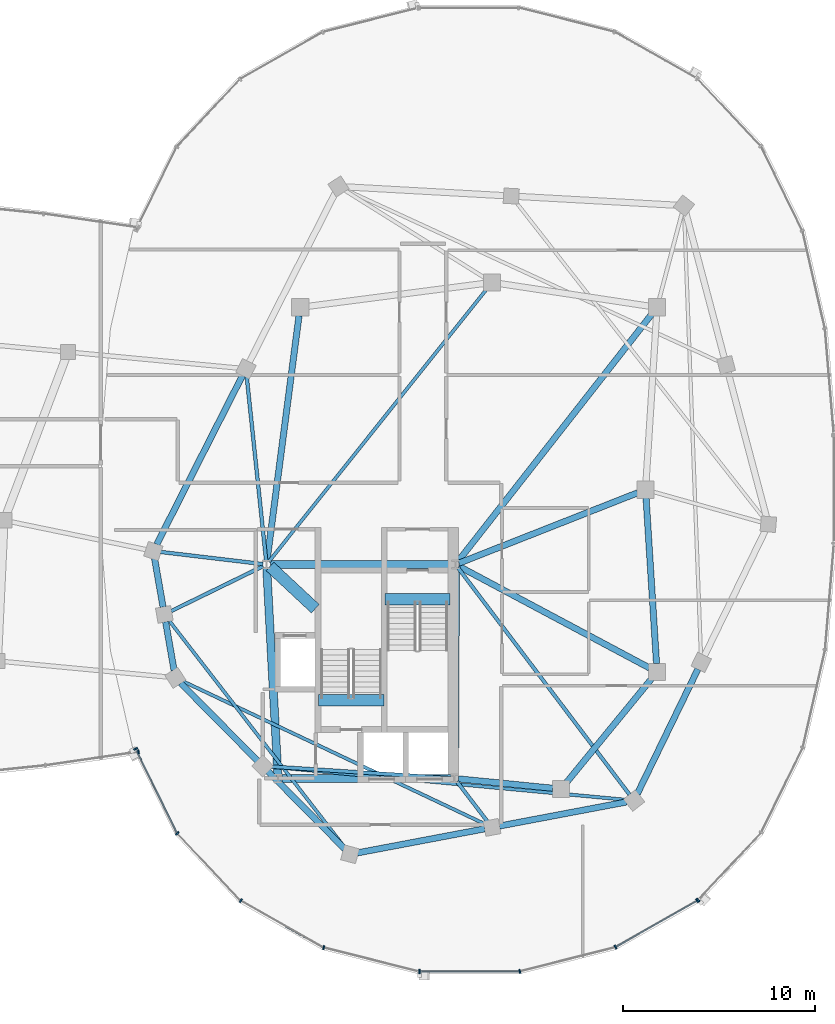
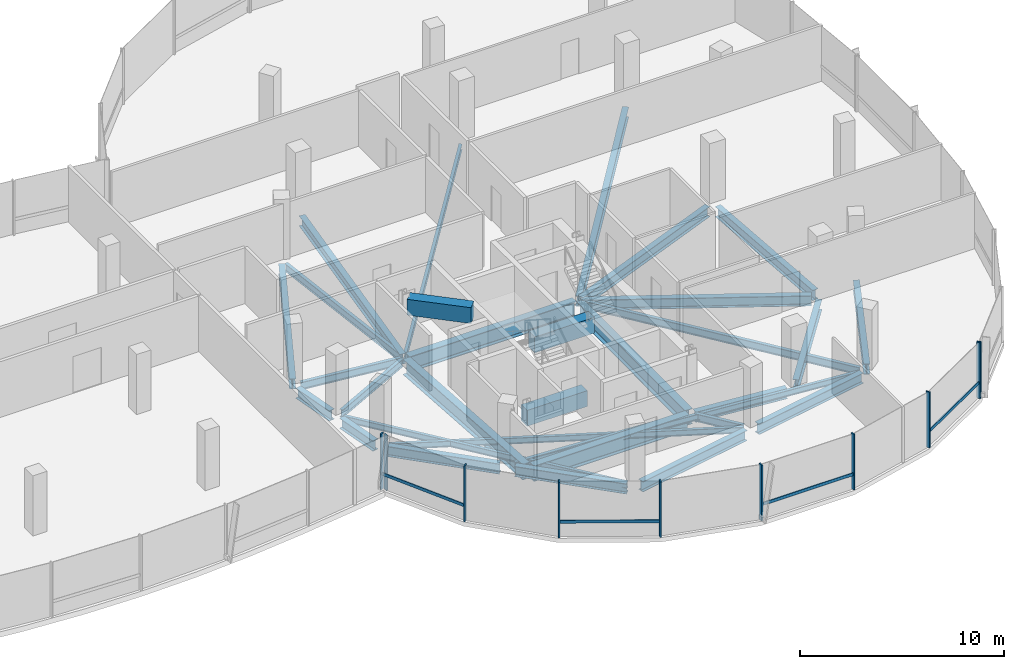
# One storey, part 8 of 25: 32 beams, 14 members, 3 elements without a shape of their own.
"""IFC4 building model written with IfcOpenShell, lengths in metres."""

from ifc_helpers import new_model, si_unit, direction, frame, origin, origin_2d, place, context, subcontext, project, spatial, rectangle, i_section, extrude, material, material_profile, profile_set, type_object, element, aggregate, save


model = new_model("IFC4")

# Units and contexts
model_context = context("Model", 3, precision=1e-05, world=origin(), true_north=direction((0.0, 1.0)))
body_context = subcontext(model_context, "Body", "Model", "MODEL_VIEW")
ifc_project = project(units=[si_unit("LENGTHUNIT", "METRE"), si_unit("AREAUNIT", "SQUARE_METRE"), si_unit("VOLUMEUNIT", "CUBIC_METRE"), si_unit("PLANEANGLEUNIT", "RADIAN"), si_unit("MASSUNIT", "GRAM", prefix="KILO"), si_unit("THERMODYNAMICTEMPERATUREUNIT", "KELVIN"), si_unit("POWERUNIT", "WATT")], contexts=[model_context])

# Site, building, storey
site_placement = place(None, origin())
site = spatial("IfcSite", under=ifc_project, at=site_placement, CompositionType="ELEMENT")
building_placement = place(site_placement, origin())
building = spatial("IfcBuilding", under=site, at=building_placement, Name="Cundina Bronze Exchange", CompositionType="ELEMENT")
storey_placement = place(building_placement, frame((0.0, 0.0, 250.39990234375)))
storey = spatial("IfcBuildingStorey", under=building, at=storey_placement, Name="L66", CompositionType="ELEMENT", Elevation=250.39990234375)

# Beams
ifc_material_1 = material(Name="Concrete C60/75", Category="concrete")
ifc_material_profile_1 = material_profile(ifc_material_1, rectangle(XDim=0.60009765625, YDim=0.949951171875, at=origin_2d()), Name="RC600X950", Category="concrete")
ifc_profile_set_1 = profile_set([ifc_material_profile_1], Name="Concrete C60/75")
beam_type_1 = type_object("IfcBeamType", Name="BM-COUP-RC950", PredefinedType="LINTEL", material=ifc_profile_set_1)
beam_1_placement = place(storey_placement, frame((27.6201171875, -5.719970703125, -0.474853515625), z_axis=(1.0, 0.0, 0.0), x_axis=(0.0, 1.0, 0.0)))
element("IfcBeam", 1, at=beam_1_placement, inside=storey, type_object=beam_type_1, Name="L66 Stair E1 Landing Header Beam", PredefinedType="LINTEL", context=body_context, shape_type="SweptSolid", body=[
    extrude(rectangle(XDim=0.60009765625, YDim=0.949951171875, at=origin_2d()), origin(), (0.0, 0.0, 1.0), 3.39990234375),
])
beam_2_placement = place(storey_placement, frame((24.159912109375, -10.97998046875, -0.474853515625), z_axis=(1.0, 0.0, 0.0), x_axis=(0.0, 1.0, 0.0)))
element("IfcBeam", 2, at=beam_2_placement, inside=storey, type_object=beam_type_1, Name="L66 Stair E2 Landing Header Beam", PredefinedType="LINTEL", context=body_context, shape_type="SweptSolid", body=[
    extrude(rectangle(XDim=0.60009765625, YDim=0.949951171875, at=origin_2d()), origin(), (0.0, 0.0, 1.0), 3.400146484375),
])
beam_3_placement = place(storey_placement, frame((21.6298828125, -4.0, 2.864990234375), z_axis=(0.731490439815, -0.681851696822, 0.0), x_axis=(0.681851696822, 0.731490439815, 0.0)))
element("IfcBeam", 3, at=beam_3_placement, inside=storey, type_object=beam_type_1, Name="L66 E Core Shear Coupling Lintel Beam", PredefinedType="LINTEL", context=body_context, shape_type="SweptSolid", body=[
    extrude(rectangle(XDim=0.60009765625, YDim=0.949951171875, at=origin_2d()), origin(), (0.0, 0.0, 1.0), 3.226318359375),
])
ifc_material_2 = material(Name="Steel ASTM A992 Grade 50", Category="steel")
ifc_material_profile_2 = material_profile(ifc_material_2, i_section(OverallWidth=0.19091796875, OverallDepth=0.4599609375, WebThickness=0.010009765625, FlangeThickness=0.01611328125, FilletRadius=0.011962890625, at=origin_2d()), Name="W18X55", Category="steel")
ifc_profile_set_2 = profile_set([ifc_material_profile_2], Name="Steel ASTM A992 Grade 50")
beam_type_2 = type_object("IfcBeamType", Name="BM-FLR-W18B", PredefinedType="BEAM", material=ifc_profile_set_2)
beam_4_placement = place(storey_placement, frame((21.25537109375, -3.876953125, -0.489990234375), z_axis=(-0.993031892142, 0.117845921393, 0.0), x_axis=(-0.117845921393, -0.993031892142, 0.0)))
element("IfcBeam", 4, at=beam_4_placement, inside=storey, type_object=beam_type_2, Name="L66 Leg E Chordal Floor Beam 00", PredefinedType="BEAM", context=body_context, shape_type="SweptSolid", body=[
    extrude(i_section(OverallWidth=0.19091796875, OverallDepth=0.4599609375, WebThickness=0.010009765625, FlangeThickness=0.01611328125, FilletRadius=0.011962890625, at=origin_2d()), origin(), (0.0, 0.0, 1.0), 5.357421875),
])
beam_5_placement = place(storey_placement, frame((21.27392578125, -3.986083984375, -0.489990234375), z_axis=(-0.898610260891, -0.438747762412, 0.0), x_axis=(0.438747762412, -0.898610260891, 0.0)))
element("IfcBeam", 5, at=beam_5_placement, inside=storey, type_object=beam_type_2, Name="L66 Leg E Chordal Floor Beam 01", PredefinedType="BEAM", context=body_context, shape_type="SweptSolid", body=[
    extrude(i_section(OverallWidth=0.19091796875, OverallDepth=0.4599609375, WebThickness=0.010009765625, FlangeThickness=0.01611328125, FilletRadius=0.011962890625, at=origin_2d()), origin(), (0.0, 0.0, 1.0), 5.341796875),
])
beam_6_placement = place(storey_placement, frame((31.054443359375, -15.037353515625, -0.489990234375), z_axis=(-0.997894580734, 0.064856809527, 0.0), x_axis=(-0.064856809527, -0.997894580734, 0.0)))
element("IfcBeam", 6, at=beam_6_placement, inside=storey, type_object=beam_type_2, Name="L66 Leg E Chordal Floor Beam 03", PredefinedType="BEAM", context=body_context, shape_type="SweptSolid", body=[
    extrude(i_section(OverallWidth=0.19091796875, OverallDepth=0.4599609375, WebThickness=0.010009765625, FlangeThickness=0.01611328125, FilletRadius=0.011962890625, at=origin_2d()), origin(), (0.0, 0.0, 1.0), 9.43701171875),
])
beam_7_placement = place(storey_placement, frame((31.369140625, -15.205810546875, -0.489990234375), z_axis=(0.607470812638, -0.794341999263, 0.0), x_axis=(0.794341999263, 0.607470812638, 0.0)))
element("IfcBeam", 7, at=beam_7_placement, inside=storey, type_object=beam_type_2, Name="L66 Leg E Chordal Floor Beam 05", PredefinedType="BEAM", context=body_context, shape_type="SweptSolid", body=[
    extrude(i_section(OverallWidth=0.19091796875, OverallDepth=0.4599609375, WebThickness=0.010009765625, FlangeThickness=0.01611328125, FilletRadius=0.011962890625, at=origin_2d()), origin(), (0.0, 0.0, 1.0), 2.6259765625),
])
beam_8_placement = place(storey_placement, frame((31.418212890625, -4.056396484375, -0.489990234375), z_axis=(0.603112871583, -0.797655855699, 0.0), x_axis=(0.797655855699, 0.603112871583, 0.0)))
element("IfcBeam", 8, at=beam_8_placement, inside=storey, type_object=beam_type_2, Name="L66 Leg E Chordal Floor Beam 06", PredefinedType="BEAM", context=body_context, shape_type="SweptSolid", body=[
    extrude(i_section(OverallWidth=0.19091796875, OverallDepth=0.4599609375, WebThickness=0.010009765625, FlangeThickness=0.01611328125, FilletRadius=0.011962890625, at=origin_2d()), origin(), (0.0, 0.0, 1.0), 14.8359375),
])
beam_9_placement = place(storey_placement, frame((21.429443359375, -3.705078125, -0.489990234375), z_axis=(-0.10480040809, 0.994493275223, 0.0), x_axis=(-0.994493275223, -0.10480040809, 0.0)))
element("IfcBeam", 9, at=beam_9_placement, inside=storey, type_object=beam_type_2, Name="L66 Leg E Chordal Floor Beam 13", PredefinedType="BEAM", context=body_context, shape_type="SweptSolid", body=[
    extrude(i_section(OverallWidth=0.19091796875, OverallDepth=0.4599609375, WebThickness=0.010009765625, FlangeThickness=0.01611328125, FilletRadius=0.011962890625, at=origin_2d()), origin(), (0.0, 0.0, 1.0), 9.67236328125),
])
ifc_material_profile_3 = material_profile(ifc_material_2, i_section(OverallWidth=0.172119140625, OverallDepth=0.35791015625, WebThickness=0.0078125, FlangeThickness=0.01318359375, FilletRadius=0.010009765625, at=origin_2d()), Name="W14X38", Category="steel")
ifc_profile_set_3 = profile_set([ifc_material_profile_3], Name="Steel ASTM A992 Grade 50")
beam_type_3 = type_object("IfcBeamType", Name="BM-JST-W14", PredefinedType="JOIST", material=ifc_profile_set_3)
beam_10_placement = place(storey_placement, frame((21.572509765625, -3.746826171875, -0.43896484375), z_axis=(0.624364266872, 0.781133319129, 0.0), x_axis=(-0.781133319129, 0.624364266872, 0.0)))
element("IfcBeam", 10, at=beam_10_placement, inside=storey, type_object=beam_type_3, Name="L66 E Interior Core-to-Ring Joist 2", PredefinedType="JOIST", context=body_context, shape_type="SweptSolid", body=[
    extrude(i_section(OverallWidth=0.172119140625, OverallDepth=0.35791015625, WebThickness=0.0078125, FlangeThickness=0.01318359375, FilletRadius=0.010009765625, at=origin_2d()), origin(), (0.0, 0.0, 1.0), 18.184814453125),
])
beam_11_placement = place(storey_placement, frame((16.362548828125, -6.806884765625, -0.43896484375), z_axis=(0.612077855816, -0.790797507849, 0.0), x_axis=(0.790797507849, 0.612077855816, 0.0)))
element("IfcBeam", 11, at=beam_11_placement, inside=storey, type_object=beam_type_3, Name="L66 Leg E Lobe Floor Joist 01-04", PredefinedType="JOIST", context=body_context, shape_type="SweptSolid", body=[
    extrude(i_section(OverallWidth=0.172119140625, OverallDepth=0.35791015625, WebThickness=0.0078125, FlangeThickness=0.01318359375, FilletRadius=0.010009765625, at=origin_2d()), origin(), (0.0, 0.0, 1.0), 15.03076171875),
])
beam_12_placement = place(storey_placement, frame((17.05078125, -9.9658203125, -0.43896484375), z_axis=(0.904073247994, -0.427377540661, 0.0), x_axis=(0.427377540661, 0.904073247994, 0.0)))
element("IfcBeam", 12, at=beam_12_placement, inside=storey, type_object=beam_type_3, Name="L66 Leg E Lobe Floor Joist 02-05", PredefinedType="JOIST", context=body_context, shape_type="SweptSolid", body=[
    extrude(i_section(OverallWidth=0.172119140625, OverallDepth=0.35791015625, WebThickness=0.0078125, FlangeThickness=0.01318359375, FilletRadius=0.010009765625, at=origin_2d()), origin(), (0.0, 0.0, 1.0), 17.474609375),
])
beam_13_placement = place(storey_placement, frame((21.63623046875, -14.435791015625, -0.43896484375), z_axis=(0.995700514338, -0.092630911398, 0.0), x_axis=(0.092630911398, 0.995700514338, 0.0)))
element("IfcBeam", 13, at=beam_13_placement, inside=storey, type_object=beam_type_3, Name="L66 Leg E Lobe Floor Joist 03-06", PredefinedType="JOIST", context=body_context, shape_type="SweptSolid", body=[
    extrude(i_section(OverallWidth=0.172119140625, OverallDepth=0.35791015625, WebThickness=0.0078125, FlangeThickness=0.01318359375, FilletRadius=0.010009765625, at=origin_2d()), origin(), (0.0, 0.0, 1.0), 18.65771484375),
])
ifc_material_profile_4 = material_profile(ifc_material_2, i_section(OverallWidth=0.324951171875, OverallDepth=0.615966796875, WebThickness=0.013916015625, FlangeThickness=0.021484375, FilletRadius=0.01611328125, at=origin_2d()), Name="W24X117", Category="steel")
ifc_profile_set_4 = profile_set([ifc_material_profile_4], Name="Steel ASTM A992 Grade 50")
beam_type_4 = type_object("IfcBeamType", Name="BM-RING-W24", PredefinedType="USERDEFINED", material=ifc_profile_set_4)
beam_14_placement = place(storey_placement, frame((31.445068359375, -15.0693359375, -0.56787109375), z_axis=(0.995123854478, -0.09863323096, 0.0), x_axis=(0.09863323096, 0.995123854478, 0.0)))
element("IfcBeam", 14, at=beam_14_placement, inside=storey, type_object=beam_type_4, Name="L66 E Inner Structural Ring Girder 01", ObjectType="GIRDER", PredefinedType="USERDEFINED", context=body_context, shape_type="SweptSolid", body=[
    extrude(i_section(OverallWidth=0.324951171875, OverallDepth=0.615966796875, WebThickness=0.013916015625, FlangeThickness=0.021484375, FilletRadius=0.01611328125, at=origin_2d()), origin(), (0.0, 0.0, 1.0), 4.943115234375),
])
beam_15_placement = place(storey_placement, frame((37.07763671875, -15.26123046875, -0.56787109375), z_axis=(0.633912590175, 0.77340469873, 0.0), x_axis=(-0.77340469873, 0.633912590175, 0.0)))
element("IfcBeam", 15, at=beam_15_placement, inside=storey, type_object=beam_type_4, Name="L66 E Inner Structural Ring Girder 02", ObjectType="GIRDER", PredefinedType="USERDEFINED", context=body_context, shape_type="SweptSolid", body=[
    extrude(i_section(OverallWidth=0.324951171875, OverallDepth=0.615966796875, WebThickness=0.013916015625, FlangeThickness=0.021484375, FilletRadius=0.01611328125, at=origin_2d()), origin(), (0.0, 0.0, 1.0), 7.01123046875),
])
beam_16_placement = place(storey_placement, frame((41.7724609375, -9.06298828125, -0.56787109375), z_axis=(-0.063046519736, 0.998010589297, 0.0), x_axis=(-0.998010589297, -0.063046519736, 0.0)))
element("IfcBeam", 16, at=beam_16_placement, inside=storey, type_object=beam_type_4, Name="L66 E Inner Structural Ring Girder 03", ObjectType="GIRDER", PredefinedType="USERDEFINED", context=body_context, shape_type="SweptSolid", body=[
    extrude(i_section(OverallWidth=0.324951171875, OverallDepth=0.615966796875, WebThickness=0.013916015625, FlangeThickness=0.021484375, FilletRadius=0.01611328125, at=origin_2d()), origin(), (0.0, 0.0, 1.0), 8.64306640625),
])
beam_17_placement = place(storey_placement, frame((23.143310546875, 9.065673828125, -0.56787109375), z_axis=(-0.129501251979, -0.991579258424, 0.0), x_axis=(0.991579258424, -0.129501251979, 0.0)))
element("IfcBeam", 17, at=beam_17_placement, inside=storey, type_object=beam_type_4, Name="L66 E Inner Structural Ring Girder 07", ObjectType="GIRDER", PredefinedType="USERDEFINED", context=body_context, shape_type="SweptSolid", body=[
    extrude(i_section(OverallWidth=0.324951171875, OverallDepth=0.615966796875, WebThickness=0.013916015625, FlangeThickness=0.021484375, FilletRadius=0.01611328125, at=origin_2d()), origin(), (0.0, 0.0, 1.0), 12.8798828125),
])
beam_18_placement = place(storey_placement, frame((31.482421875, -3.828125, -0.56787109375), z_axis=(0.930404106569, 0.366535398673, 0.0), x_axis=(-0.366535398673, 0.930404106569, 0.0)))
element("IfcBeam", 18, at=beam_18_placement, inside=storey, type_object=beam_type_4, Name="L66 E Core-to-Waist Tie Beam 1", ObjectType="GIRDER", PredefinedType="USERDEFINED", context=body_context, shape_type="SweptSolid", body=[
    extrude(i_section(OverallWidth=0.324951171875, OverallDepth=0.615966796875, WebThickness=0.013916015625, FlangeThickness=0.021484375, FilletRadius=0.01611328125, at=origin_2d()), origin(), (0.0, 0.0, 1.0), 10.00634765625),
])
beam_19_placement = place(storey_placement, frame((31.472900390625, -3.9921875, -0.56787109375), z_axis=(0.882350541683, -0.470592734317, 0.0), x_axis=(0.470592734317, 0.882350541683, 0.0)))
element("IfcBeam", 19, at=beam_19_placement, inside=storey, type_object=beam_type_4, Name="L66 E Core-to-Waist Tie Beam 2", ObjectType="GIRDER", PredefinedType="USERDEFINED", context=body_context, shape_type="SweptSolid", body=[
    extrude(i_section(OverallWidth=0.324951171875, OverallDepth=0.615966796875, WebThickness=0.013916015625, FlangeThickness=0.021484375, FilletRadius=0.01611328125, at=origin_2d()), origin(), (0.0, 0.0, 1.0), 11.26611328125),
])
beam_20_placement = place(storey_placement, frame((31.4208984375, -3.74560546875, -0.56787109375), z_axis=(0.616782900053, 0.787133314123, 0.0), x_axis=(-0.787133314123, 0.616782900053, 0.0)))
element("IfcBeam", 20, at=beam_20_placement, inside=storey, type_object=beam_type_4, Name="L66 E Core-to-Waist Tie Beam 3", ObjectType="GIRDER", PredefinedType="USERDEFINED", context=body_context, shape_type="SweptSolid", body=[
    extrude(i_section(OverallWidth=0.324951171875, OverallDepth=0.615966796875, WebThickness=0.013916015625, FlangeThickness=0.021484375, FilletRadius=0.01611328125, at=origin_2d()), origin(), (0.0, 0.0, 1.0), 16.3896484375),
])
for number, where, z_axis, x_axis, name in (
    (21, (15.61669921875, -3.582275390625, -0.56787109375), (0.171593362587, -0.985167862811, 0.0), (0.985167862811, 0.171593362587, 0.0), "L66 E Perimeter Ring Girder 00"),
    (22, (16.191650390625, -6.882080078125, -0.56787109375), (0.171593362587, -0.985167862811, 0.0), (0.985167862811, 0.171593362587, 0.0), "L66 E Perimeter Ring Girder 01"),
):
    element("IfcBeam", number, at=place(storey_placement, frame(where, z_axis=z_axis, x_axis=x_axis)), inside=storey, type_object=beam_type_4, Name=name, ObjectType="GIRDER", PredefinedType="USERDEFINED", context=body_context, shape_type="SweptSolid", body=[
        extrude(i_section(OverallWidth=0.324951171875, OverallDepth=0.615966796875, WebThickness=0.013916015625, FlangeThickness=0.021484375, FilletRadius=0.01611328125, at=origin_2d()), origin(), (0.0, 0.0, 1.0), 2.57373046875),
    ])
beam_21_placement = place(storey_placement, frame((16.972900390625, -10.075927734375, -0.56787109375), z_axis=(0.703237257446, -0.710955244541, 0.0), x_axis=(0.710955244541, 0.703237257446, 0.0)))
element("IfcBeam", 23, at=beam_21_placement, inside=storey, type_object=beam_type_4, Name="L66 E Perimeter Ring Girder 02", ObjectType="GIRDER", PredefinedType="USERDEFINED", context=body_context, shape_type="SweptSolid", body=[
    extrude(i_section(OverallWidth=0.324951171875, OverallDepth=0.615966796875, WebThickness=0.013916015625, FlangeThickness=0.021484375, FilletRadius=0.01611328125, at=origin_2d()), origin(), (0.0, 0.0, 1.0), 5.69384765625),
])
beam_22_placement = place(storey_placement, frame((21.52294921875, -14.67578125, -0.56787109375), z_axis=(0.703215820204, -0.710976448425, 0.0), x_axis=(0.710976448425, 0.703215820204, 0.0)))
element("IfcBeam", 24, at=beam_22_placement, inside=storey, type_object=beam_type_4, Name="L66 E Perimeter Ring Girder 03", ObjectType="GIRDER", PredefinedType="USERDEFINED", context=body_context, shape_type="SweptSolid", body=[
    extrude(i_section(OverallWidth=0.324951171875, OverallDepth=0.615966796875, WebThickness=0.013916015625, FlangeThickness=0.021484375, FilletRadius=0.01611328125, at=origin_2d()), origin(), (0.0, 0.0, 1.0), 5.694091796875),
])
beam_23_placement = place(storey_placement, frame((26.18115234375, -18.927978515625, -0.56787109375), z_axis=(0.982568104771, 0.185902984072, 0.0), x_axis=(-0.185902984072, 0.982568104771, 0.0)))
element("IfcBeam", 25, at=beam_23_placement, inside=storey, type_object=beam_type_4, Name="L66 E Perimeter Ring Girder 04", ObjectType="GIRDER", PredefinedType="USERDEFINED", context=body_context, shape_type="SweptSolid", body=[
    extrude(i_section(OverallWidth=0.324951171875, OverallDepth=0.615966796875, WebThickness=0.013916015625, FlangeThickness=0.021484375, FilletRadius=0.01611328125, at=origin_2d()), origin(), (0.0, 0.0, 1.0), 6.75537109375),
])
beam_24_placement = place(storey_placement, frame((33.581298828125, -17.52783203125, -0.56787109375), z_axis=(0.982573456977, 0.185874693392, 0.0), x_axis=(-0.185874693392, 0.982573456977, 0.0)))
element("IfcBeam", 26, at=beam_24_placement, inside=storey, type_object=beam_type_4, Name="L66 E Perimeter Ring Girder 05", ObjectType="GIRDER", PredefinedType="USERDEFINED", context=body_context, shape_type="SweptSolid", body=[
    extrude(i_section(OverallWidth=0.324951171875, OverallDepth=0.615966796875, WebThickness=0.013916015625, FlangeThickness=0.021484375, FilletRadius=0.01611328125, at=origin_2d()), origin(), (0.0, 0.0, 1.0), 6.755126953125),
])
beam_25_placement = place(storey_placement, frame((40.76953125, -15.85107421875, -0.56787109375), z_axis=(0.437216986791, 0.899356050995, 0.0), x_axis=(-0.899356050995, 0.437216986791, 0.0)))
element("IfcBeam", 27, at=beam_25_placement, inside=storey, type_object=beam_type_4, Name="L66 E Perimeter Ring Girder 06", ObjectType="GIRDER", PredefinedType="USERDEFINED", context=body_context, shape_type="SweptSolid", body=[
    extrude(i_section(OverallWidth=0.324951171875, OverallDepth=0.615966796875, WebThickness=0.013916015625, FlangeThickness=0.021484375, FilletRadius=0.01611328125, at=origin_2d()), origin(), (0.0, 0.0, 1.0), 7.2294921875),
])
beam_26_placement = place(storey_placement, frame((20.19921875, 5.9541015625, -0.56787109375), z_axis=(-0.452839263805, -0.891592171991, 0.0), x_axis=(0.891592171991, -0.452839263805, 0.0)))
element("IfcBeam", 28, at=beam_26_placement, inside=storey, type_object=beam_type_4, Name="L66 E Perimeter Ring Girder 13", ObjectType="GIRDER", PredefinedType="USERDEFINED", context=body_context, shape_type="SweptSolid", body=[
    extrude(i_section(OverallWidth=0.324951171875, OverallDepth=0.615966796875, WebThickness=0.013916015625, FlangeThickness=0.021484375, FilletRadius=0.01611328125, at=origin_2d()), origin(), (0.0, 0.0, 1.0), 9.879150390625),
])
ifc_material_profile_5 = material_profile(ifc_material_2, i_section(OverallWidth=0.41796875, OverallDepth=0.927001953125, WebThickness=0.019287109375, FlangeThickness=0.031982421875, FilletRadius=0.02392578125, at=origin_2d()), Name="W36X231", Category="steel")
ifc_profile_set_5 = profile_set([ifc_material_profile_5], Name="Steel ASTM A992 Grade 50")
beam_type_5 = type_object("IfcBeamType", Name="BM-WRN-W36B", PredefinedType="USERDEFINED", material=ifc_profile_set_5)
beam_27_placement = place(storey_placement, frame((31.10400390625, -3.89990234375, -0.723388671875), z_axis=(-1.0, 0.0, 0.0), x_axis=(0.0, -1.0, 0.0)))
element("IfcBeam", 29, at=beam_27_placement, inside=storey, type_object=beam_type_5, Name="L66 E Core Perimeter Tie Girder 1", ObjectType="GIRDER", PredefinedType="USERDEFINED", context=body_context, shape_type="SweptSolid", body=[
    extrude(i_section(OverallWidth=0.41796875, OverallDepth=0.927001953125, WebThickness=0.019287109375, FlangeThickness=0.031982421875, FilletRadius=0.02392578125, at=origin_2d()), origin(), (0.0, 0.0, 1.0), 9.4580078125),
])
beam_28_placement = place(storey_placement, frame((21.46044921875, -4.095703125, -0.723388671875), z_axis=(0.053749317644, -0.998554460634, 0.0), x_axis=(0.998554460634, 0.053749317644, 0.0)))
element("IfcBeam", 30, at=beam_28_placement, inside=storey, type_object=beam_type_5, Name="L66 E Core Perimeter Tie Girder 2", ObjectType="GIRDER", PredefinedType="USERDEFINED", context=body_context, shape_type="SweptSolid", body=[
    extrude(i_section(OverallWidth=0.41796875, OverallDepth=0.927001953125, WebThickness=0.019287109375, FlangeThickness=0.031982421875, FilletRadius=0.02392578125, at=origin_2d()), origin(), (0.0, 0.0, 1.0), 10.774169921875),
])
beam_29_placement = place(storey_placement, frame((22.24609375, -15.050048828125, -0.723388671875), z_axis=(1.0, 0.0, 0.0), x_axis=(0.0, 1.0, 0.0)))
element("IfcBeam", 31, at=beam_29_placement, inside=storey, type_object=beam_type_5, Name="L66 E Core Perimeter Tie Girder 3", ObjectType="GIRDER", PredefinedType="USERDEFINED", context=body_context, shape_type="SweptSolid", body=[
    extrude(i_section(OverallWidth=0.41796875, OverallDepth=0.927001953125, WebThickness=0.019287109375, FlangeThickness=0.031982421875, FilletRadius=0.02392578125, at=origin_2d()), origin(), (0.0, 0.0, 1.0), 8.807861328125),
])
beam_30_placement = place(storey_placement, frame((31.2509765625, -14.85400390625, -0.723388671875), z_axis=(0.004470623654, 0.999990006712, 0.0), x_axis=(-0.999990006712, 0.004470623654, 0.0)))
element("IfcBeam", 32, at=beam_30_placement, inside=storey, type_object=beam_type_5, Name="L66 E Core Perimeter Tie Girder 4", ObjectType="GIRDER", PredefinedType="USERDEFINED", context=body_context, shape_type="SweptSolid", body=[
    extrude(i_section(OverallWidth=0.41796875, OverallDepth=0.927001953125, WebThickness=0.019287109375, FlangeThickness=0.031982421875, FilletRadius=0.02392578125, at=origin_2d()), origin(), (0.0, 0.0, 1.0), 10.758056640625),
])

# Curtain wall, members
ifc_material_3 = material(Name="Anodised Bronze Aluminium 6063-T6", Category="aluminium")
curtain_wall_type = type_object("IfcCurtainWallType", Name="CWS-SKG-BRG", PredefinedType="NOTDEFINED", material=ifc_material_3)
curtain_wall_1_placement = place(storey_placement, origin())
curtain_wall_1 = element("IfcCurtainWall", 33, at=curtain_wall_1_placement, inside=storey, type_object=curtain_wall_type, Name="L66 CW-06 Curtain Wall Run CWR-L66-E3", PredefinedType="NOTDEFINED")
ifc_material_profile_6 = material_profile(ifc_material_3, rectangle(XDim=0.074951171875, YDim=0.219970703125, at=origin_2d()), Name="AL75X220", Category="aluminium")
ifc_profile_set_6 = profile_set([ifc_material_profile_6], Name="Anodised Bronze Aluminium 6063-T6")
member_type_1 = type_object("IfcMemberType", Name="CWM-MUL-220", PredefinedType="MULLION", material=ifc_profile_set_6)
member_1_placement = place(storey_placement, frame((14.630859375, -13.50390625, 0.0), z_axis=(0.0, 0.0, 1.0), x_axis=(0.440566004113, -0.897720221461, 0.0)))
member_1 = element("IfcMember", 34, at=member_1_placement, type_object=member_type_1, Name="CW-06 Mullion 1", PredefinedType="MULLION", context=body_context, shape_type="SweptSolid", body=[
    extrude(rectangle(XDim=0.074951171875, YDim=0.219970703125, at=origin_2d()), origin(), (0.0, 0.0, 1.0), 3.340087890625),
])
member_2_placement = place(storey_placement, frame((16.8037109375, -17.910400390625, 0.0), z_axis=(0.0, 0.0, 1.0), x_axis=(0.684292606175, -0.729207535023, 0.0)))
member_2 = element("IfcMember", 35, at=member_2_placement, type_object=member_type_1, Name="CW-06 Mullion 2", PredefinedType="MULLION", context=body_context, shape_type="SweptSolid", body=[
    extrude(rectangle(XDim=0.074951171875, YDim=0.219970703125, at=origin_2d()), origin(), (0.0, 0.0, 1.0), 3.340087890625),
])
member_3_placement = place(storey_placement, frame((20.11083984375, -21.419921875, 0.0), z_axis=(0.0, 0.0, 1.0), x_axis=(0.86958112538, -0.493790103568, 0.0)))
member_3 = element("IfcMember", 36, at=member_3_placement, type_object=member_type_1, Name="CW-06 Mullion 3", PredefinedType="MULLION", context=body_context, shape_type="SweptSolid", body=[
    extrude(rectangle(XDim=0.074951171875, YDim=0.219970703125, at=origin_2d()), origin(), (0.0, 0.0, 1.0), 3.340087890625),
])
member_4_placement = place(storey_placement, frame((24.4296875, -23.86181640625, 0.0), z_axis=(0.0, 0.0, 1.0), x_axis=(0.969744325821, -0.244122802168, 0.0)))
member_4 = element("IfcMember", 37, at=member_4_placement, type_object=member_type_1, Name="CW-06 Mullion 4", PredefinedType="MULLION", context=body_context, shape_type="SweptSolid", body=[
    extrude(rectangle(XDim=0.074951171875, YDim=0.219970703125, at=origin_2d()), origin(), (0.0, 0.0, 1.0), 3.340087890625),
])
member_5_placement = place(storey_placement, frame((29.423583984375, -25.110107421875, 0.0), z_axis=(0.0, 0.0, 1.0), x_axis=(1.0, 0.0, 0.0)))
member_5 = element("IfcMember", 38, at=member_5_placement, type_object=member_type_1, Name="CW-06 Mullion 5", PredefinedType="MULLION", context=body_context, shape_type="SweptSolid", body=[
    extrude(rectangle(XDim=0.074951171875, YDim=0.219970703125, at=origin_2d()), origin(), (0.0, 0.0, 1.0), 3.340087890625),
])
member_6_placement = place(storey_placement, frame((34.648193359375, -25.10107421875, 0.0), z_axis=(0.0, 0.0, 1.0), x_axis=(0.969744325821, 0.244122802168, 0.0)))
member_6 = element("IfcMember", 39, at=member_6_placement, type_object=member_type_1, Name="CW-06 Mullion 6", PredefinedType="MULLION", context=body_context, shape_type="SweptSolid", body=[
    extrude(rectangle(XDim=0.074951171875, YDim=0.219970703125, at=origin_2d()), origin(), (0.0, 0.0, 1.0), 3.340087890625),
])
member_7_placement = place(storey_placement, frame((39.634521484375, -23.8359375, 0.0), z_axis=(0.0, 0.0, 1.0), x_axis=(0.86958112538, 0.493790103568, 0.0)))
member_7 = element("IfcMember", 40, at=member_7_placement, type_object=member_type_1, Name="CW-06 Mullion 7", PredefinedType="MULLION", context=body_context, shape_type="SweptSolid", body=[
    extrude(rectangle(XDim=0.074951171875, YDim=0.219970703125, at=origin_2d()), origin(), (0.0, 0.0, 1.0), 3.340087890625),
])
member_8_placement = place(storey_placement, frame((43.88916015625, -21.419921875, 0.0), z_axis=(0.0, 0.0, 1.0), x_axis=(0.86958112538, 0.493790103568, 0.0)))
member_8 = element("IfcMember", 41, at=member_8_placement, type_object=member_type_1, Name="CW-06 End Mullion", PredefinedType="MULLION", context=body_context, shape_type="SweptSolid", body=[
    extrude(rectangle(XDim=0.074951171875, YDim=0.219970703125, at=origin_2d()), origin(), (0.0, 0.0, 1.0), 3.340087890625),
])

# Curtain wall, member
curtain_wall_2_placement = place(storey_placement, origin())
curtain_wall_2 = element("IfcCurtainWall", 42, at=curtain_wall_2_placement, inside=storey, type_object=curtain_wall_type, Name="L66 CW-06 Curtain Wall Run CWR-L66-E4", PredefinedType="NOTDEFINED")
member_9_placement = place(storey_placement, frame((43.940185546875, -21.3798828125, 0.0), z_axis=(0.0, 0.0, 1.0), x_axis=(0.684292606175, 0.729207535023, 0.0)))
member_9 = element("IfcMember", 43, at=member_9_placement, type_object=member_type_1, Name="CW-06 Mullion 1", PredefinedType="MULLION", context=body_context, shape_type="SweptSolid", body=[
    extrude(rectangle(XDim=0.074951171875, YDim=0.219970703125, at=origin_2d()), origin(), (0.0, 0.0, 1.0), 3.340087890625),
])
aggregate(curtain_wall_2, [member_9])

curtain_wall_3_placement = place(storey_placement, origin())
curtain_wall_3 = element("IfcCurtainWall", 44, at=curtain_wall_3_placement, inside=storey, type_object=curtain_wall_type, Name="L66 CW-06 Curtain Wall Run CWR-L66-BRGS", PredefinedType="NOTDEFINED")
member_10_placement = place(storey_placement, frame((14.779296875, -13.658935546875, 0.0), z_axis=(0.0, 0.0, 1.0), x_axis=(0.989525789069, 0.144356201001, 0.0)))
member_10 = element("IfcMember", 45, at=member_10_placement, type_object=member_type_1, Name="CW-06 End Mullion", PredefinedType="MULLION", context=body_context, shape_type="SweptSolid", body=[
    extrude(rectangle(XDim=0.074951171875, YDim=0.219970703125, at=origin_2d()), origin(), (0.0, 0.0, 1.0), 3.280029296875),
])
aggregate(curtain_wall_3, [member_10])

# Member
ifc_material_profile_7 = material_profile(ifc_material_3, rectangle(XDim=0.070068359375, YDim=0.179931640625, at=origin_2d()), Name="AL70X180", Category="aluminium")
ifc_profile_set_7 = profile_set([ifc_material_profile_7], Name="Anodised Bronze Aluminium 6063-T6")
member_type_2 = type_object("IfcMemberType", Name="CWM-TRN-180", PredefinedType="USERDEFINED", material=ifc_profile_set_7)
member_11_placement = place(storey_placement, frame((14.64892578125, -13.541015625, 0.920166015625), z_axis=(0.440554408939, -0.897725911826, 0.0), x_axis=(0.897725911826, 0.440554408939, 0.0)))
member_11 = element("IfcMember", 46, at=member_11_placement, type_object=member_type_2, Name="CW-06 Spandrel Transom 1", ObjectType="TRANSOM", PredefinedType="USERDEFINED", context=body_context, shape_type="SweptSolid", body=[
    extrude(rectangle(XDim=0.070068359375, YDim=0.179931640625, at=origin_2d()), origin(), (0.0, 0.0, 1.0), 4.848388671875),
])

member_12_placement = place(storey_placement, frame((20.146728515625, -21.440185546875, 0.920166015625), z_axis=(0.869557366176, -0.493831941989, 0.0), x_axis=(0.493831941989, 0.869557366176, 0.0)))
member_12 = element("IfcMember", 47, at=member_12_placement, type_object=member_type_2, Name="CW-06 Spandrel Transom 3", ObjectType="TRANSOM", PredefinedType="USERDEFINED", context=body_context, shape_type="SweptSolid", body=[
    extrude(rectangle(XDim=0.070068359375, YDim=0.179931640625, at=origin_2d()), origin(), (0.0, 0.0, 1.0), 4.892822265625),
])

member_13_placement = place(storey_placement, frame((29.464599609375, -25.110107421875, 0.920166015625), z_axis=(1.0, 0.0, 0.0), x_axis=(0.0, 1.0, 0.0)))
member_13 = element("IfcMember", 48, at=member_13_placement, type_object=member_type_2, Name="CW-06 Spandrel Transom 5", ObjectType="TRANSOM", PredefinedType="USERDEFINED", context=body_context, shape_type="SweptSolid", body=[
    extrude(rectangle(XDim=0.070068359375, YDim=0.179931640625, at=origin_2d()), origin(), (0.0, 0.0, 1.0), 5.1533203125),
])

member_14_placement = place(storey_placement, frame((39.67041015625, -23.815673828125, 0.920166015625), z_axis=(0.869558105282, 0.493830640542, 0.0), x_axis=(-0.493830640542, 0.869558105282, 0.0)))
member_14 = element("IfcMember", 49, at=member_14_placement, type_object=member_type_2, Name="CW-06 Spandrel Transom 7", ObjectType="TRANSOM", PredefinedType="USERDEFINED", context=body_context, shape_type="SweptSolid", body=[
    extrude(rectangle(XDim=0.070068359375, YDim=0.179931640625, at=origin_2d()), origin(), (0.0, 0.0, 1.0), 4.810302734375),
])

aggregate(curtain_wall_1, [member_1, member_11, member_2, member_3, member_12, member_4, member_5, member_13, member_6, member_7, member_8, member_14])

save(model, "model.ifc")
